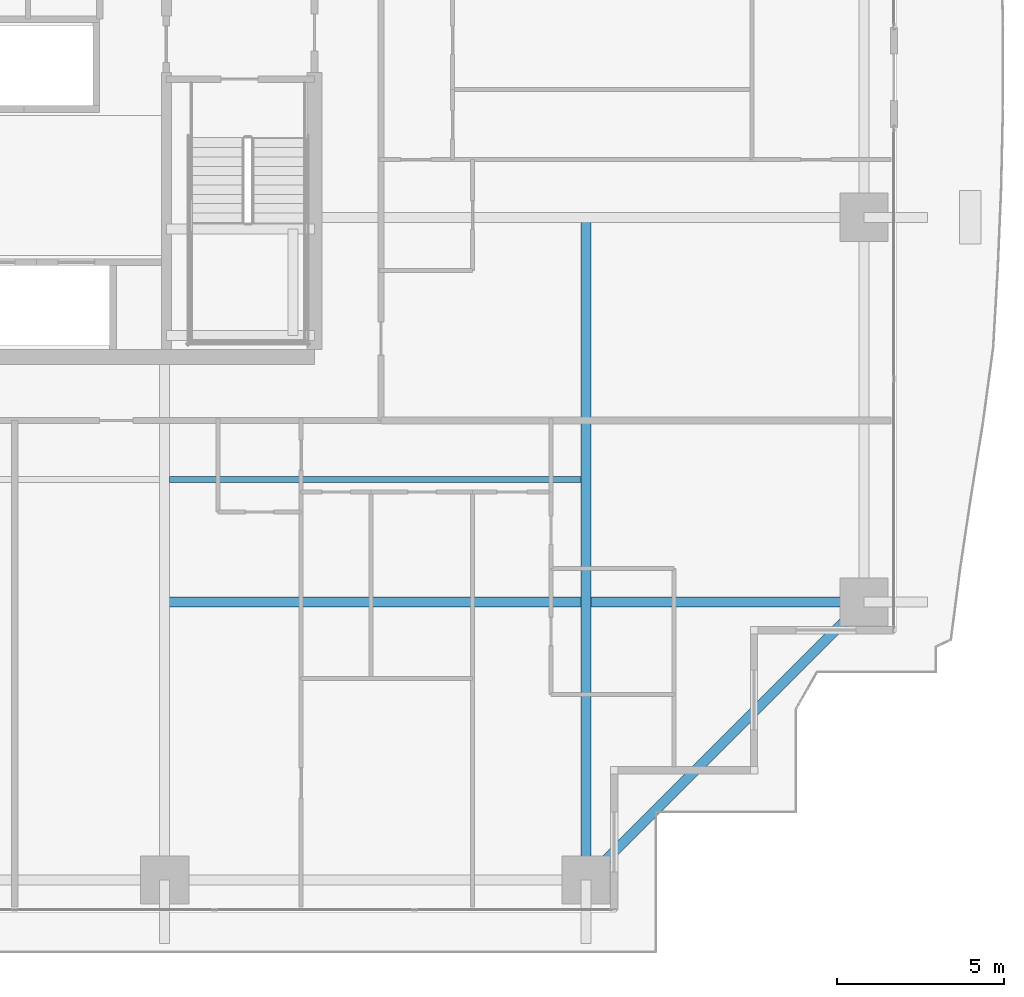
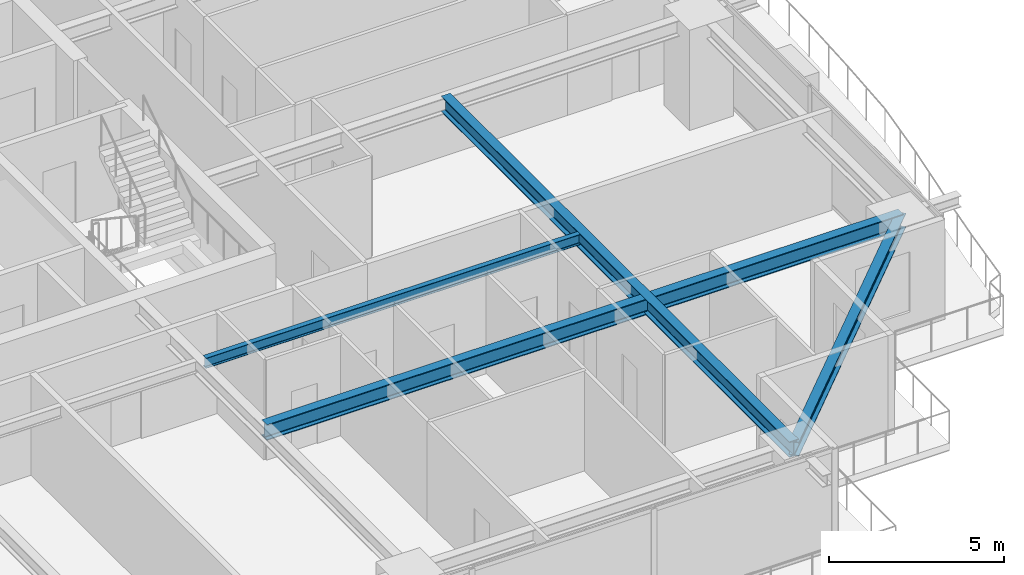
# One storey, part 11 of 39: 4 beams.
"""IFC4 building model written with IfcOpenShell, lengths in metres."""

from ifc_helpers import new_model, si_unit, direction, frame, origin, origin_2d, place, context, subcontext, project, spatial, i_section, extrude, source, transform, mapped, material, material_profile, profile_set, type_object, element, save


model = new_model("IFC4")

# Units and contexts
model_context = context("Model", 3, precision=1e-05, world=origin(), true_north=direction((0.0, 1.0)))
body_context = subcontext(model_context, "Body", "Model", "MODEL_VIEW")
ifc_project = project(units=[si_unit("LENGTHUNIT", "METRE"), si_unit("AREAUNIT", "SQUARE_METRE"), si_unit("VOLUMEUNIT", "CUBIC_METRE"), si_unit("PLANEANGLEUNIT", "RADIAN"), si_unit("MASSUNIT", "GRAM", prefix="KILO")], contexts=[model_context])

# Site, building, storey
site_placement = place(None, origin())
site = spatial("IfcSite", under=ifc_project, at=site_placement, CompositionType="ELEMENT")
building_placement = place(site_placement, origin())
building = spatial("IfcBuilding", under=site, at=building_placement, Name="Serunith Strait Residences", CompositionType="ELEMENT")
storey_placement = place(building_placement, frame((0.0, 0.0, 97.949951171875)))
storey = spatial("IfcBuildingStorey", under=building, at=storey_placement, Name="L24", CompositionType="ELEMENT", Elevation=97.949951171875)

# Beams
ifc_material = material(Name="Steel S355J2", Category="steel")
ifc_material_profile_1 = material_profile(ifc_material, i_section(OverallWidth=0.300048828125, OverallDepth=0.550048828125, WebThickness=0.014892578125, FlangeThickness=0.029052734375, FilletRadius=0.027099609375, at=origin_2d()), Name="HEB 550")
ifc_profile_set_1 = profile_set([ifc_material_profile_1], Name="Steel S355J2")
beam_type_1 = type_object("IfcBeamType", Name="BM-HEB550", PredefinedType="BEAM", material=ifc_profile_set_1)
shared_shape_1 = source(origin(), body_context, "Body", "SweptSolid", [
    extrude(i_section(OverallWidth=0.300048828125, OverallDepth=0.550048828125, WebThickness=0.014892578125, FlangeThickness=0.029052734375, FilletRadius=0.027099609375, at=origin_2d()), origin(), (0.0, 0.0, 1.0), 19.89990234375),
])
beam_1_placement = place(storey_placement, frame((49.550048828125, 21.0, 3.212158203125), z_axis=(0.0, -1.0, 0.0), x_axis=(1.0, 0.0, 0.0)))
element("IfcBeam", 1, at=beam_1_placement, inside=storey, type_object=beam_type_1, Name="L24 Orthogonal Corner Girder TC-S4", PredefinedType="BEAM", context=body_context, shape_type="MappedRepresentation", body=[
    mapped(shared_shape_1, transform((0.0, 0.0, 0.0), scale=1.0)),
])
shared_shape_2 = source(origin(), body_context, "Body", "SweptSolid", [
    extrude(i_section(OverallWidth=0.300048828125, OverallDepth=0.550048828125, WebThickness=0.014892578125, FlangeThickness=0.029052734375, FilletRadius=0.027099609375, at=origin_2d()), origin(), (0.0, 0.0, 1.0), 21.0),
])
beam_2_placement = place(storey_placement, frame((36.89990234375, 9.449951171875, 3.212158203125), z_axis=(1.0, 0.0, 0.0), x_axis=(0.0, 1.0, 0.0)))
element("IfcBeam", 2, at=beam_2_placement, inside=storey, type_object=beam_type_1, Name="L24 Orthogonal Corner Girder TC-E1", PredefinedType="BEAM", context=body_context, shape_type="MappedRepresentation", body=[
    mapped(shared_shape_2, transform((0.0, 0.0, 0.0), scale=1.0)),
])
ifc_material_profile_2 = material_profile(ifc_material, i_section(OverallWidth=0.300048828125, OverallDepth=0.5, WebThickness=0.014404296875, FlangeThickness=0.028076171875, FilletRadius=0.027099609375, at=origin_2d()), Name="HEB 500")
ifc_profile_set_2 = profile_set([ifc_material_profile_2], Name="Steel S355J2")
beam_type_2 = type_object("IfcBeamType", Name="BM-HEB500", PredefinedType="BEAM", material=ifc_profile_set_2)
shared_shape_3 = source(origin(), body_context, "Body", "SweptSolid", [
    extrude(i_section(OverallWidth=0.300048828125, OverallDepth=0.5, WebThickness=0.014404296875, FlangeThickness=0.028076171875, FilletRadius=0.027099609375, at=origin_2d()), origin(), (0.0, 0.0, 1.0), 11.80859375),
])
beam_3_placement = place(storey_placement, frame((49.550048828125, 1.10009765625, 3.20703125), z_axis=(0.707106781187, 0.707106781187, 0.0), x_axis=(-0.707106781187, 0.707106781187, 0.0)))
element("IfcBeam", 3, at=beam_3_placement, inside=storey, type_object=beam_type_2, Name="L24 Perimeter Ring Beam 04", PredefinedType="BEAM", context=body_context, shape_type="MappedRepresentation", body=[
    mapped(shared_shape_3, transform((0.0, 0.0, 0.0), scale=1.0)),
])
ifc_material_profile_3 = material_profile(ifc_material, i_section(OverallWidth=0.169921875, OverallDepth=0.360107421875, WebThickness=0.008056640625, FlangeThickness=0.0126953125, FilletRadius=0.01806640625, at=origin_2d()), Name="IPE 360")
ifc_profile_set_3 = profile_set([ifc_material_profile_3], Name="Steel S355J2")
beam_type_3 = type_object("IfcBeamType", Name="BM-IPE360", PredefinedType="JOIST", material=ifc_profile_set_3)
shared_shape_4 = source(origin(), body_context, "Body", "SweptSolid", [
    extrude(i_section(OverallWidth=0.169921875, OverallDepth=0.360107421875, WebThickness=0.008056640625, FlangeThickness=0.0126953125, FilletRadius=0.01806640625, at=origin_2d()), origin(), (0.0, 0.0, 1.0), 12.349853515625),
])
beam_4_placement = place(storey_placement, frame((37.050048828125, 13.125, 3.30712890625), z_axis=(1.0, 0.0, 0.0), x_axis=(0.0, 1.0, 0.0)))
element("IfcBeam", 4, at=beam_4_placement, inside=storey, type_object=beam_type_3, Name="L24 Composite Floor Joist 03", PredefinedType="JOIST", context=body_context, shape_type="MappedRepresentation", body=[
    mapped(shared_shape_4, transform((0.0, 0.0, 0.0), scale=1.0)),
])

save(model, "model.ifc")
